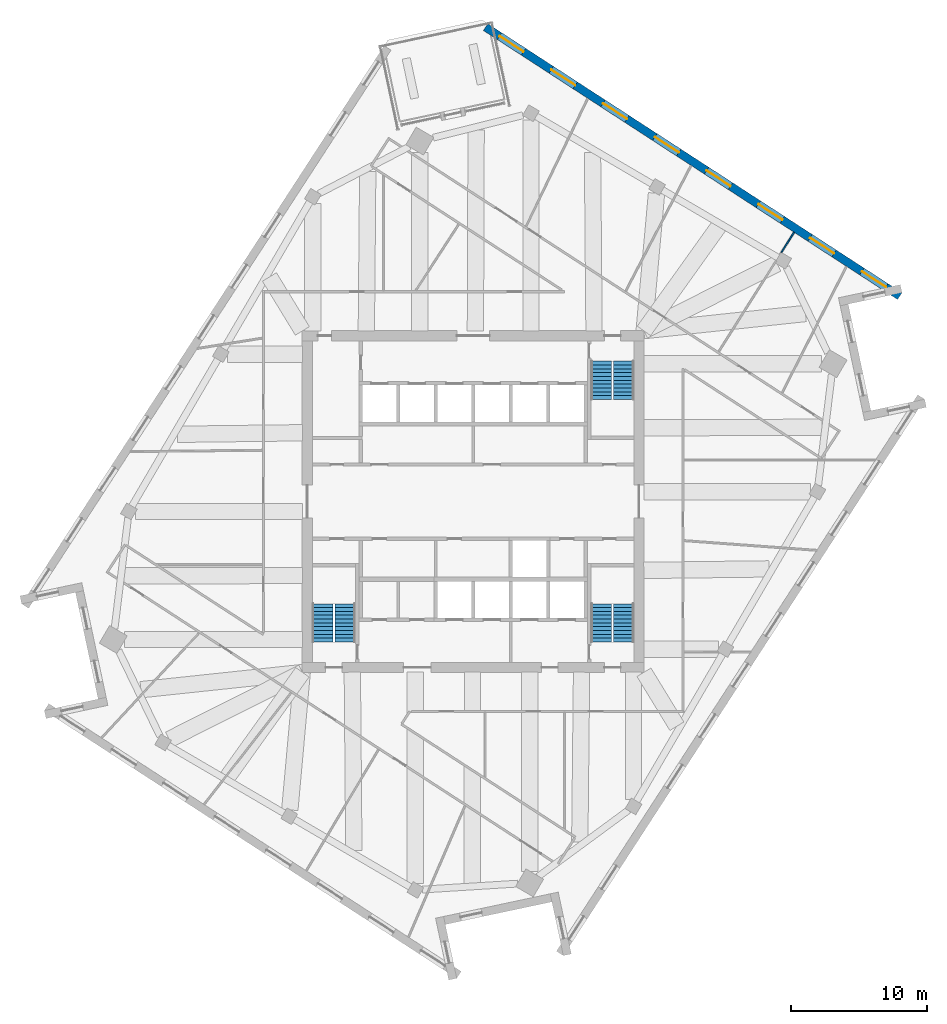
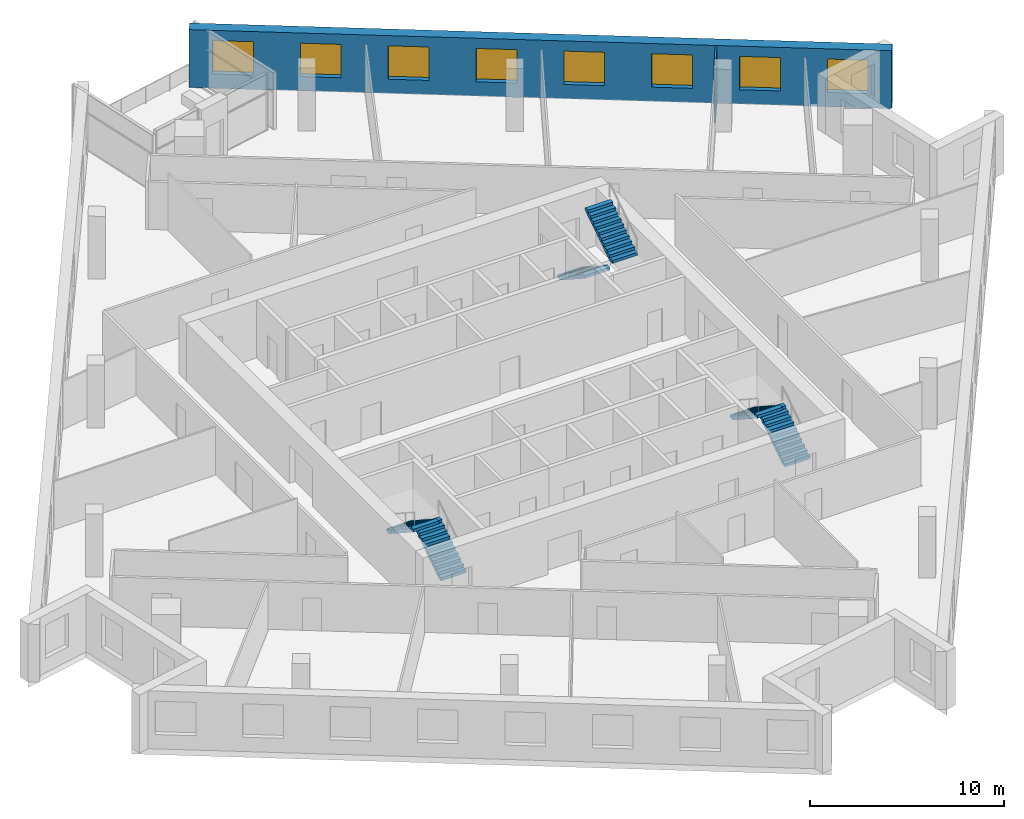
# One storey, part 10 of 12: 8 windows, 6 stair flights, 2 walls, 8 openings, 3 elements without a shape of their own.
"""IFC4 building model written with IfcOpenShell, lengths in metres."""

from ifc_helpers import new_model, si_unit, direction, frame, frame_2d, origin, place, context, subcontext, project, spatial, polyline, rectangle, outline, extrude, material, layer, layer_set, type_object, element, fill, aggregate, save


model = new_model("IFC4")

# Units and contexts
model_context = context("Model", 3, precision=1e-05, world=origin(), true_north=direction((0.0, 1.0)))
body_context = subcontext(model_context, "Body", "Model", "MODEL_VIEW")
ifc_project = project(units=[si_unit("LENGTHUNIT", "METRE"), si_unit("AREAUNIT", "SQUARE_METRE"), si_unit("VOLUMEUNIT", "CUBIC_METRE"), si_unit("PLANEANGLEUNIT", "RADIAN"), si_unit("MASSUNIT", "GRAM", prefix="KILO")], contexts=[model_context])

# Site, building, storey
site_placement = place(None, origin())
site = spatial("IfcSite", under=ifc_project, at=site_placement, CompositionType="ELEMENT")
building_placement = place(site_placement, origin())
building = spatial("IfcBuilding", under=site, at=building_placement, Name="Dilmun Exchange Tower", CompositionType="ELEMENT")
storey_placement = place(building_placement, frame((0.0, 0.0, 254.89990234375)))
storey = spatial("IfcBuildingStorey", under=building, at=storey_placement, Name="L60", CompositionType="ELEMENT", Elevation=254.89990234375)

# Wall
ifc_material_1 = material(Name="Partition 100")
ifc_layer_1 = layer(ifc_material_1, 0.10009765625)
ifc_layer_set_1 = layer_set([ifc_layer_1], Name="Partition 100")
wall_type_1 = type_object("IfcWallType", Name="Partition 100", PredefinedType="PARTITIONING", material=ifc_layer_set_1)
wall_1_placement = place(storey_placement, frame((22.618896484375, 18.28466796875, 0.0), z_axis=(0.0, 0.0, 1.0), x_axis=(0.53411937272, 0.845409070028, 0.0)))
element("IfcWall", 1, at=wall_1_placement, inside=storey, type_object=wall_type_1, Name="Partition", PredefinedType="PARTITIONING", context=body_context, shape_type="SweptSolid", body=[
    extrude(rectangle(XDim=1.744140625, YDim=0.10009765625, at=frame_2d((0.8720703125, 0.0))), origin(), (0.0, 0.0, 1.0), 3.64013671875),
])

# Wall, openings, windows
ifc_material_2 = material(Name="Precast concrete C50/60", Category="concrete")
ifc_layer_2 = layer(ifc_material_2, 0.60009765625)
ifc_layer_set_2 = layer_set([ifc_layer_2], Name="Precast concrete C50/60")
wall_type_2 = type_object("IfcWallType", Name="Precast stone-clad wall 600", PredefinedType="STANDARD", material=ifc_layer_set_2)
wall_2_placement = place(storey_placement, frame((31.30810546875, 15.08154296875, 0.0), z_axis=(0.0, 0.0, 1.0), x_axis=(-0.838672242303, 0.544636456721, 0.0)))
wall_2 = element("IfcWall", 2, at=wall_2_placement, inside=storey, type_object=wall_type_2, Name="Facade wall L60-15", PredefinedType="STANDARD", context=body_context, shape_type="SweptSolid", body=[
    extrude(rectangle(XDim=36.242919921875, YDim=0.60009765625, at=frame_2d((18.12158203125, 0.0))), origin(), (0.0, 0.0, 1.0), 3.64013671875),
])
opening_1_placement = place(wall_2_placement, frame((1.215087890625, 0.0, 0.89990234375)))
opening_1 = element("IfcOpeningElement", 3, at=opening_1_placement, cuts=wall_2, Name="Opening W210-210", PredefinedType="OPENING", context=body_context, shape_type="SweptSolid", body=[
    extrude(rectangle(XDim=2.10009765625, YDim=2.10009765625, at=frame_2d((1.050048828125, 1.050048828125))), frame((0.0, 0.31005859375, 0.0), z_axis=(0.0, -1.0, 0.0), x_axis=(1.0, 0.0, 0.0)), (0.0, 0.0, 1.0), 0.6201171875),
])
opening_2_placement = place(wall_2_placement, frame((5.74560546875, 0.0, 0.89990234375)))
opening_2 = element("IfcOpeningElement", 4, at=opening_2_placement, cuts=wall_2, Name="Opening W210-210", PredefinedType="OPENING", context=body_context, shape_type="SweptSolid", body=[
    extrude(rectangle(XDim=2.10009765625, YDim=2.10009765625, at=frame_2d((1.050048828125, 1.050048828125))), frame((0.0, 0.31005859375, 0.0), z_axis=(0.0, -1.0, 0.0), x_axis=(1.0, 0.0, 0.0)), (0.0, 0.0, 1.0), 0.6201171875),
])
opening_3_placement = place(wall_2_placement, frame((10.27587890625, 0.0, 0.89990234375)))
opening_3 = element("IfcOpeningElement", 5, at=opening_3_placement, cuts=wall_2, Name="Opening W210-210", PredefinedType="OPENING", context=body_context, shape_type="SweptSolid", body=[
    extrude(rectangle(XDim=2.10009765625, YDim=2.10009765625, at=frame_2d((1.050048828125, 1.050048828125))), frame((0.0, 0.31005859375, 0.0), z_axis=(0.0, -1.0, 0.0), x_axis=(1.0, 0.0, 0.0)), (0.0, 0.0, 1.0), 0.6201171875),
])
opening_4_placement = place(wall_2_placement, frame((14.806396484375, 0.0, 0.89990234375)))
opening_4 = element("IfcOpeningElement", 6, at=opening_4_placement, cuts=wall_2, Name="Opening W210-210", PredefinedType="OPENING", context=body_context, shape_type="SweptSolid", body=[
    extrude(rectangle(XDim=2.10009765625, YDim=2.10009765625, at=frame_2d((1.050048828125, 1.050048828125))), frame((0.0, 0.31005859375, 0.0), z_axis=(0.0, -1.0, 0.0), x_axis=(1.0, 0.0, 0.0)), (0.0, 0.0, 1.0), 0.6201171875),
])
opening_5_placement = place(wall_2_placement, frame((19.3369140625, 0.0, 0.89990234375)))
opening_5 = element("IfcOpeningElement", 7, at=opening_5_placement, cuts=wall_2, Name="Opening W210-210", PredefinedType="OPENING", context=body_context, shape_type="SweptSolid", body=[
    extrude(rectangle(XDim=2.10009765625, YDim=2.10009765625, at=frame_2d((1.050048828125, 1.050048828125))), frame((0.0, 0.31005859375, 0.0), z_axis=(0.0, -1.0, 0.0), x_axis=(1.0, 0.0, 0.0)), (0.0, 0.0, 1.0), 0.6201171875),
])
opening_6_placement = place(wall_2_placement, frame((23.8671875, 0.0, 0.89990234375)))
opening_6 = element("IfcOpeningElement", 8, at=opening_6_placement, cuts=wall_2, Name="Opening W210-210", PredefinedType="OPENING", context=body_context, shape_type="SweptSolid", body=[
    extrude(rectangle(XDim=2.10009765625, YDim=2.10009765625, at=frame_2d((1.050048828125, 1.050048828125))), frame((0.0, 0.31005859375, 0.0), z_axis=(0.0, -1.0, 0.0), x_axis=(1.0, 0.0, 0.0)), (0.0, 0.0, 1.0), 0.6201171875),
])
opening_7_placement = place(wall_2_placement, frame((28.397705078125, 0.0, 0.89990234375)))
opening_7 = element("IfcOpeningElement", 9, at=opening_7_placement, cuts=wall_2, Name="Opening W210-210", PredefinedType="OPENING", context=body_context, shape_type="SweptSolid", body=[
    extrude(rectangle(XDim=2.10009765625, YDim=2.10009765625, at=frame_2d((1.050048828125, 1.050048828125))), frame((0.0, 0.31005859375, 0.0), z_axis=(0.0, -1.0, 0.0), x_axis=(1.0, 0.0, 0.0)), (0.0, 0.0, 1.0), 0.6201171875),
])
opening_8_placement = place(wall_2_placement, frame((32.927978515625, 0.0, 0.89990234375)))
opening_8 = element("IfcOpeningElement", 10, at=opening_8_placement, cuts=wall_2, Name="Opening W210-210", PredefinedType="OPENING", context=body_context, shape_type="SweptSolid", body=[
    extrude(rectangle(XDim=2.10009765625, YDim=2.10009765625, at=frame_2d((1.050048828125, 1.050048828125))), frame((0.0, 0.31005859375, 0.0), z_axis=(0.0, -1.0, 0.0), x_axis=(1.0, 0.0, 0.0)), (0.0, 0.0, 1.0), 0.6201171875),
])
ifc_material_3 = material(Name="Clear low-emissivity glass in aluminium frame", Category="aluminium")
window_type = type_object("IfcWindowType", Name="Punched window 2100 x 2100", PartitioningType="DOUBLE_PANEL_VERTICAL", PredefinedType="WINDOW", material=ifc_material_3)
window_1_placement = place(opening_1_placement, origin())
window_1 = element("IfcWindow", 11, at=window_1_placement, inside=storey, type_object=window_type, Name="Window 16.1", OverallHeight=2.10009765625, OverallWidth=2.10009765625, PartitioningType="SINGLE_PANEL", PredefinedType="WINDOW", context=body_context, shape_type="SweptSolid", body=[
    extrude(rectangle(XDim=2.10009765625, YDim=2.10009765625, at=frame_2d((1.050048828125, 1.050048828125))), frame((0.0, 0.030029296875, 0.0), z_axis=(0.0, -1.0, 0.0), x_axis=(1.0, 0.0, 0.0)), (0.0, 0.0, 1.0), 0.06005859375),
])
fill(opening_1, window_1)
window_2_placement = place(opening_2_placement, origin())
window_2 = element("IfcWindow", 12, at=window_2_placement, inside=storey, type_object=window_type, Name="Window 16.2", OverallHeight=2.10009765625, OverallWidth=2.10009765625, PartitioningType="SINGLE_PANEL", PredefinedType="WINDOW", context=body_context, shape_type="SweptSolid", body=[
    extrude(rectangle(XDim=2.10009765625, YDim=2.10009765625, at=frame_2d((1.050048828125, 1.050048828125))), frame((0.0, 0.030029296875, 0.0), z_axis=(0.0, -1.0, 0.0), x_axis=(1.0, 0.0, 0.0)), (0.0, 0.0, 1.0), 0.06005859375),
])
fill(opening_2, window_2)
window_3_placement = place(opening_3_placement, origin())
window_3 = element("IfcWindow", 13, at=window_3_placement, inside=storey, type_object=window_type, Name="Window 16.3", OverallHeight=2.10009765625, OverallWidth=2.10009765625, PartitioningType="SINGLE_PANEL", PredefinedType="WINDOW", context=body_context, shape_type="SweptSolid", body=[
    extrude(rectangle(XDim=2.10009765625, YDim=2.10009765625, at=frame_2d((1.050048828125, 1.050048828125))), frame((0.0, 0.030029296875, 0.0), z_axis=(0.0, -1.0, 0.0), x_axis=(1.0, 0.0, 0.0)), (0.0, 0.0, 1.0), 0.06005859375),
])
fill(opening_3, window_3)
window_4_placement = place(opening_4_placement, origin())
window_4 = element("IfcWindow", 14, at=window_4_placement, inside=storey, type_object=window_type, Name="Window 16.4", OverallHeight=2.10009765625, OverallWidth=2.10009765625, PartitioningType="SINGLE_PANEL", PredefinedType="WINDOW", context=body_context, shape_type="SweptSolid", body=[
    extrude(rectangle(XDim=2.10009765625, YDim=2.10009765625, at=frame_2d((1.050048828125, 1.050048828125))), frame((0.0, 0.030029296875, 0.0), z_axis=(0.0, -1.0, 0.0), x_axis=(1.0, 0.0, 0.0)), (0.0, 0.0, 1.0), 0.06005859375),
])
fill(opening_4, window_4)
window_5_placement = place(opening_5_placement, origin())
window_5 = element("IfcWindow", 15, at=window_5_placement, inside=storey, type_object=window_type, Name="Window 16.5", OverallHeight=2.10009765625, OverallWidth=2.10009765625, PartitioningType="SINGLE_PANEL", PredefinedType="WINDOW", context=body_context, shape_type="SweptSolid", body=[
    extrude(rectangle(XDim=2.10009765625, YDim=2.10009765625, at=frame_2d((1.050048828125, 1.050048828125))), frame((0.0, 0.030029296875, 0.0), z_axis=(0.0, -1.0, 0.0), x_axis=(1.0, 0.0, 0.0)), (0.0, 0.0, 1.0), 0.06005859375),
])
fill(opening_5, window_5)
window_6_placement = place(opening_6_placement, origin())
window_6 = element("IfcWindow", 16, at=window_6_placement, inside=storey, type_object=window_type, Name="Window 16.6", OverallHeight=2.10009765625, OverallWidth=2.10009765625, PartitioningType="SINGLE_PANEL", PredefinedType="WINDOW", context=body_context, shape_type="SweptSolid", body=[
    extrude(rectangle(XDim=2.10009765625, YDim=2.10009765625, at=frame_2d((1.050048828125, 1.050048828125))), frame((0.0, 0.030029296875, 0.0), z_axis=(0.0, -1.0, 0.0), x_axis=(1.0, 0.0, 0.0)), (0.0, 0.0, 1.0), 0.06005859375),
])
fill(opening_6, window_6)
window_7_placement = place(opening_7_placement, origin())
window_7 = element("IfcWindow", 17, at=window_7_placement, inside=storey, type_object=window_type, Name="Window 16.7", OverallHeight=2.10009765625, OverallWidth=2.10009765625, PartitioningType="SINGLE_PANEL", PredefinedType="WINDOW", context=body_context, shape_type="SweptSolid", body=[
    extrude(rectangle(XDim=2.10009765625, YDim=2.10009765625, at=frame_2d((1.050048828125, 1.050048828125))), frame((0.0, 0.030029296875, 0.0), z_axis=(0.0, -1.0, 0.0), x_axis=(1.0, 0.0, 0.0)), (0.0, 0.0, 1.0), 0.06005859375),
])
fill(opening_7, window_7)
window_8_placement = place(opening_8_placement, origin())
window_8 = element("IfcWindow", 18, at=window_8_placement, inside=storey, type_object=window_type, Name="Window 16.8", OverallHeight=2.10009765625, OverallWidth=2.10009765625, PartitioningType="SINGLE_PANEL", PredefinedType="WINDOW", context=body_context, shape_type="SweptSolid", body=[
    extrude(rectangle(XDim=2.10009765625, YDim=2.10009765625, at=frame_2d((1.050048828125, 1.050048828125))), frame((0.0, 0.030029296875, 0.0), z_axis=(0.0, -1.0, 0.0), x_axis=(1.0, 0.0, 0.0)), (0.0, 0.0, 1.0), 0.06005859375),
])
fill(opening_8, window_8)

# Stair, stair flights
ifc_material_4 = material(Name="Concrete C40/50", Category="concrete")
stair_type = type_object("IfcStairType", Name="Exit stair 1500 half-turn", PredefinedType="HALF_TURN_STAIR", material=ifc_material_4)
stair_1_placement = place(storey_placement, origin())
stair_1 = element("IfcStair", 19, at=stair_1_placement, inside=storey, type_object=stair_type, Name="L60 Protected exit stair ST1", PredefinedType="HALF_TURN_STAIR")
stair_flight_type = type_object("IfcStairFlightType", Name="Exit stair flight 1500", PredefinedType="STRAIGHT", material=ifc_material_4)
stair_flight_1_placement = place(storey_placement, frame((9.39990234375, 10.300048828125, 0.0), z_axis=(0.0, 0.0, 1.0), x_axis=(0.0, -1.0, 0.0)))
stair_flight_1 = element("IfcStairFlight", 20, at=stair_flight_1_placement, type_object=stair_flight_type, Name="ST1 flight 1", NumberOfRisers=11, NumberOfTreads=10, PredefinedType="STRAIGHT", RiserHeight=0.181818182, TreadLength=0.28, context=body_context, shape_type="SweptSolid", body=[
    extrude(outline(polyline([(0.0, 0.0), (0.0, 0.181884765625), (0.280029296875, 0.181884765625), (0.280029296875, 0.363525390625), (0.56005859375, 0.363525390625), (0.56005859375, 0.54541015625), (0.840087890625, 0.54541015625), (0.840087890625, 0.727294921875), (1.1201171875, 0.727294921875), (1.1201171875, 0.9091796875), (1.39990234375, 0.9091796875), (1.39990234375, 1.0908203125), (1.679931640625, 1.0908203125), (1.679931640625, 1.272705078125), (1.9599609375, 1.272705078125), (1.9599609375, 1.45458984375), (2.239990234375, 1.45458984375), (2.239990234375, 1.636474609375), (2.52001953125, 1.636474609375), (2.52001953125, 1.818115234375), (2.800048828125, 1.818115234375), (2.800048828125, 2.0), (2.800048828125, 1.639404296875), (0.275146484375, 0.0), (0.0, 0.0)])), frame((0.0, 0.75, 0.0), z_axis=(0.0, -1.0, 0.0), x_axis=(1.0, 0.0, 0.0)), (0.0, 0.0, 1.0), 1.5),
])
stair_flight_2_placement = place(storey_placement, frame((11.050048828125, 7.5, 2.0), z_axis=(0.0, 0.0, 1.0), x_axis=(0.0, 1.0, 0.0)))
stair_flight_2 = element("IfcStairFlight", 21, at=stair_flight_2_placement, type_object=stair_flight_type, Name="ST1 flight 2", NumberOfRisers=11, NumberOfTreads=10, PredefinedType="STRAIGHT", RiserHeight=0.181818182, TreadLength=0.28, context=body_context, shape_type="SweptSolid", body=[
    extrude(outline(polyline([(0.0, 0.0), (0.0, 0.181884765625), (0.280029296875, 0.181884765625), (0.280029296875, 0.363525390625), (0.56005859375, 0.363525390625), (0.56005859375, 0.54541015625), (0.840087890625, 0.54541015625), (0.840087890625, 0.727294921875), (1.1201171875, 0.727294921875), (1.1201171875, 0.9091796875), (1.39990234375, 0.9091796875), (1.39990234375, 1.0908203125), (1.679931640625, 1.0908203125), (1.679931640625, 1.272705078125), (1.9599609375, 1.272705078125), (1.9599609375, 1.45458984375), (2.239990234375, 1.45458984375), (2.239990234375, 1.636474609375), (2.52001953125, 1.636474609375), (2.52001953125, 1.818115234375), (2.800048828125, 1.818115234375), (2.800048828125, 2.0), (2.800048828125, 1.639404296875), (0.275146484375, 0.0), (0.0, 0.0)])), frame((0.0, 0.75, 0.0), z_axis=(0.0, -1.0, 0.0), x_axis=(1.0, 0.0, 0.0)), (0.0, 0.0, 1.0), 1.5),
])
aggregate(stair_1, [stair_flight_1, stair_flight_2])

stair_2_placement = place(storey_placement, origin())
stair_2 = element("IfcStair", 22, at=stair_2_placement, inside=storey, type_object=stair_type, Name="L60 Protected exit stair ST2", PredefinedType="HALF_TURN_STAIR")
stair_flight_3_placement = place(storey_placement, frame((-9.39990234375, -10.300048828125, 0.0), z_axis=(0.0, 0.0, 1.0), x_axis=(0.0, 1.0, 0.0)))
stair_flight_3 = element("IfcStairFlight", 23, at=stair_flight_3_placement, type_object=stair_flight_type, Name="ST2 flight 1", NumberOfRisers=11, NumberOfTreads=10, PredefinedType="STRAIGHT", RiserHeight=0.181818182, TreadLength=0.28, context=body_context, shape_type="SweptSolid", body=[
    extrude(outline(polyline([(0.0, 0.0), (0.0, 0.181884765625), (0.280029296875, 0.181884765625), (0.280029296875, 0.363525390625), (0.56005859375, 0.363525390625), (0.56005859375, 0.54541015625), (0.840087890625, 0.54541015625), (0.840087890625, 0.727294921875), (1.1201171875, 0.727294921875), (1.1201171875, 0.9091796875), (1.39990234375, 0.9091796875), (1.39990234375, 1.0908203125), (1.679931640625, 1.0908203125), (1.679931640625, 1.272705078125), (1.9599609375, 1.272705078125), (1.9599609375, 1.45458984375), (2.239990234375, 1.45458984375), (2.239990234375, 1.636474609375), (2.52001953125, 1.636474609375), (2.52001953125, 1.818115234375), (2.800048828125, 1.818115234375), (2.800048828125, 2.0), (2.800048828125, 1.639404296875), (0.275146484375, 0.0), (0.0, 0.0)])), frame((0.0, 0.75, 0.0), z_axis=(0.0, -1.0, 0.0), x_axis=(1.0, 0.0, 0.0)), (0.0, 0.0, 1.0), 1.5),
])
stair_flight_4_placement = place(storey_placement, frame((-11.050048828125, -7.5, 2.0), z_axis=(0.0, 0.0, 1.0), x_axis=(0.0, -1.0, 0.0)))
stair_flight_4 = element("IfcStairFlight", 24, at=stair_flight_4_placement, type_object=stair_flight_type, Name="ST2 flight 2", NumberOfRisers=11, NumberOfTreads=10, PredefinedType="STRAIGHT", RiserHeight=0.181818182, TreadLength=0.28, context=body_context, shape_type="SweptSolid", body=[
    extrude(outline(polyline([(0.0, 0.0), (0.0, 0.181884765625), (0.280029296875, 0.181884765625), (0.280029296875, 0.363525390625), (0.56005859375, 0.363525390625), (0.56005859375, 0.54541015625), (0.840087890625, 0.54541015625), (0.840087890625, 0.727294921875), (1.1201171875, 0.727294921875), (1.1201171875, 0.9091796875), (1.39990234375, 0.9091796875), (1.39990234375, 1.0908203125), (1.679931640625, 1.0908203125), (1.679931640625, 1.272705078125), (1.9599609375, 1.272705078125), (1.9599609375, 1.45458984375), (2.239990234375, 1.45458984375), (2.239990234375, 1.636474609375), (2.52001953125, 1.636474609375), (2.52001953125, 1.818115234375), (2.800048828125, 1.818115234375), (2.800048828125, 2.0), (2.800048828125, 1.639404296875), (0.275146484375, 0.0), (0.0, 0.0)])), frame((0.0, 0.75, 0.0), z_axis=(0.0, -1.0, 0.0), x_axis=(1.0, 0.0, 0.0)), (0.0, 0.0, 1.0), 1.5),
])
aggregate(stair_2, [stair_flight_3, stair_flight_4])

stair_3_placement = place(storey_placement, origin())
stair_3 = element("IfcStair", 25, at=stair_3_placement, inside=storey, type_object=stair_type, Name="L60 Protected exit stair ST3", PredefinedType="HALF_TURN_STAIR")
stair_flight_5_placement = place(storey_placement, frame((11.050048828125, -10.300048828125, 0.0), z_axis=(0.0, 0.0, 1.0), x_axis=(0.0, 1.0, 0.0)))
stair_flight_5 = element("IfcStairFlight", 26, at=stair_flight_5_placement, type_object=stair_flight_type, Name="ST3 flight 1", NumberOfRisers=11, NumberOfTreads=10, PredefinedType="STRAIGHT", RiserHeight=0.181818182, TreadLength=0.28, context=body_context, shape_type="SweptSolid", body=[
    extrude(outline(polyline([(0.0, 0.0), (0.0, 0.181884765625), (0.280029296875, 0.181884765625), (0.280029296875, 0.363525390625), (0.56005859375, 0.363525390625), (0.56005859375, 0.54541015625), (0.840087890625, 0.54541015625), (0.840087890625, 0.727294921875), (1.1201171875, 0.727294921875), (1.1201171875, 0.9091796875), (1.39990234375, 0.9091796875), (1.39990234375, 1.0908203125), (1.679931640625, 1.0908203125), (1.679931640625, 1.272705078125), (1.9599609375, 1.272705078125), (1.9599609375, 1.45458984375), (2.239990234375, 1.45458984375), (2.239990234375, 1.636474609375), (2.52001953125, 1.636474609375), (2.52001953125, 1.818115234375), (2.800048828125, 1.818115234375), (2.800048828125, 2.0), (2.800048828125, 1.639404296875), (0.275146484375, 0.0), (0.0, 0.0)])), frame((0.0, 0.75, 0.0), z_axis=(0.0, -1.0, 0.0), x_axis=(1.0, 0.0, 0.0)), (0.0, 0.0, 1.0), 1.5),
])
stair_flight_6_placement = place(storey_placement, frame((9.39990234375, -7.5, 2.0), z_axis=(0.0, 0.0, 1.0), x_axis=(0.0, -1.0, 0.0)))
stair_flight_6 = element("IfcStairFlight", 27, at=stair_flight_6_placement, type_object=stair_flight_type, Name="ST3 flight 2", NumberOfRisers=11, NumberOfTreads=10, PredefinedType="STRAIGHT", RiserHeight=0.181818182, TreadLength=0.28, context=body_context, shape_type="SweptSolid", body=[
    extrude(outline(polyline([(0.0, 0.0), (0.0, 0.181884765625), (0.280029296875, 0.181884765625), (0.280029296875, 0.363525390625), (0.56005859375, 0.363525390625), (0.56005859375, 0.54541015625), (0.840087890625, 0.54541015625), (0.840087890625, 0.727294921875), (1.1201171875, 0.727294921875), (1.1201171875, 0.9091796875), (1.39990234375, 0.9091796875), (1.39990234375, 1.0908203125), (1.679931640625, 1.0908203125), (1.679931640625, 1.272705078125), (1.9599609375, 1.272705078125), (1.9599609375, 1.45458984375), (2.239990234375, 1.45458984375), (2.239990234375, 1.636474609375), (2.52001953125, 1.636474609375), (2.52001953125, 1.818115234375), (2.800048828125, 1.818115234375), (2.800048828125, 2.0), (2.800048828125, 1.639404296875), (0.275146484375, 0.0), (0.0, 0.0)])), frame((0.0, 0.75, 0.0), z_axis=(0.0, -1.0, 0.0), x_axis=(1.0, 0.0, 0.0)), (0.0, 0.0, 1.0), 1.5),
])
aggregate(stair_3, [stair_flight_5, stair_flight_6])

save(model, "model.ifc")
